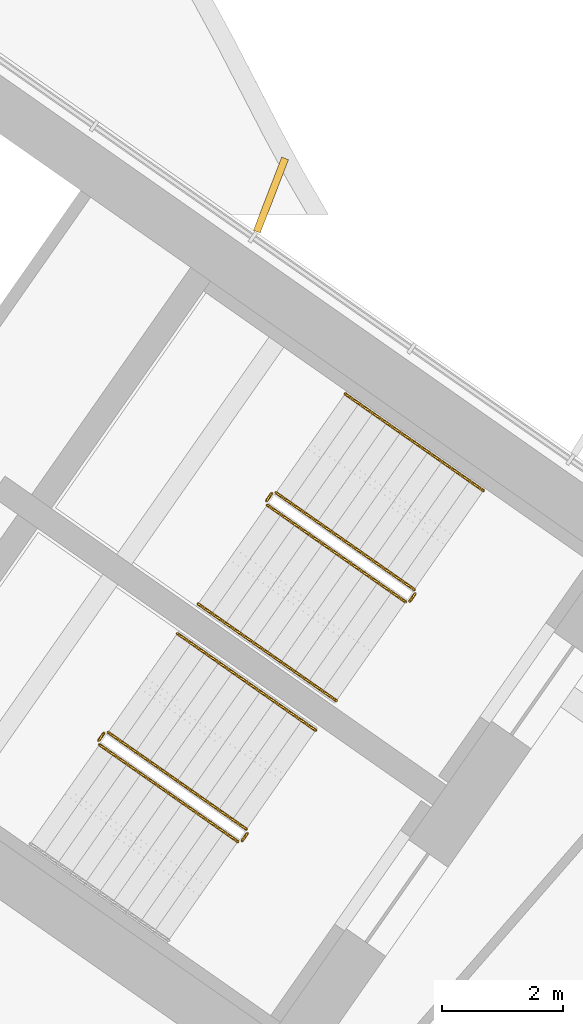
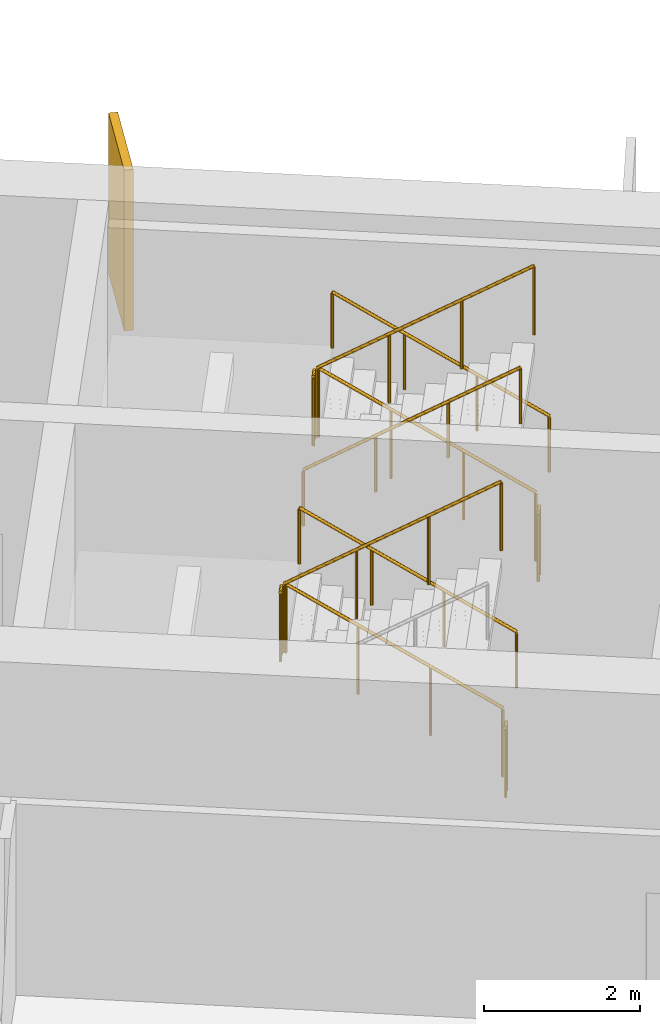
# One storey, part 22 of 23: 11 railings, 1 shading device.
"""IFC4 building model written with IfcOpenShell, lengths in metres."""

from ifc_helpers import new_model, si_unit, direction, frame, origin, origin_2d, place, context, subcontext, project, spatial, rectangle, circle, extrude, material, layer, layer_set, type_object, element, save


model = new_model("IFC4")

# Units and contexts
model_context = context("Model", 3, precision=1e-05, world=origin(), true_north=direction((0.0, 1.0)))
body_context = subcontext(model_context, "Body", "Model", "MODEL_VIEW")
ifc_project = project(units=[si_unit("LENGTHUNIT", "METRE"), si_unit("AREAUNIT", "SQUARE_METRE"), si_unit("VOLUMEUNIT", "CUBIC_METRE"), si_unit("PLANEANGLEUNIT", "RADIAN"), si_unit("MASSUNIT", "GRAM", prefix="KILO")], contexts=[model_context])

# Site, building, storey
site_placement = place(None, origin())
site = spatial("IfcSite", under=ifc_project, at=site_placement, CompositionType="ELEMENT")
building_placement = place(site_placement, origin())
building = spatial("IfcBuilding", under=site, at=building_placement, Name="Tel Ilan Convention Tower", CompositionType="ELEMENT")
storey_placement = place(building_placement, frame((0.0, 0.0, 186.60009765625)))
storey = spatial("IfcBuildingStorey", under=building, at=storey_placement, Name="L43", CompositionType="ELEMENT", Elevation=186.60009765625)

# Shading device
ifc_material_1 = material(Name="Aluminium, bronze anodised", Category="aluminium")
ifc_layer = layer(ifc_material_1, 0.1201171875)
ifc_layer_set = layer_set([ifc_layer], Name="FIN BRONZE 1300x120")
shading_device_type = type_object("IfcShadingDeviceType", Name="FIN BRONZE 1300x120", PredefinedType="USERDEFINED", material=ifc_layer_set)
shading_device_placement = place(storey_placement, frame((21.302978515625, -1.31103515625, 1.099853515625), z_axis=(0.0, 0.0, 1.0), x_axis=(0.360177724803, 0.932883704733, 0.0)))
element("IfcShadingDevice", 1, at=shading_device_placement, inside=storey, type_object=shading_device_type, Name="FIN", ObjectType="FIN", PredefinedType="USERDEFINED", context=body_context, shape_type="SweptSolid", body=[
    extrude(rectangle(XDim=1.300048828125, YDim=0.1201171875, at=origin_2d()), origin(), (0.0, 0.0, 1.0), 2.52001953125),
])

# Railings
ifc_material_2 = material(Name="Stainless Steel Grade 316", Category="steel")
railing_type_1 = type_object("IfcRailingType", Name="Stainless Steel Stair Guard 1100 mm", PredefinedType="GUARDRAIL", material=ifc_material_2)
railing_1_placement = place(storey_placement, frame((23.6787109375, -7.8515625, 0.17724609375)))
element("IfcRailing", 2, at=railing_1_placement, inside=storey, type_object=railing_type_1, Name="L43 S3 stair guard 1", PredefinedType="GUARDRAIL", context=body_context, shape_type="SweptSolid", body=[
    extrude(circle(Radius=0.02392578125, at=origin_2d()), frame((0.0, 0.0, 1.076171875), z_axis=(-0.692084706163, 0.484621375041, 0.534940073605), x_axis=(-0.573591086599, -0.819141785879, 0.0)), (0.0, 0.0, 1.0), 3.313720703125),
    extrude(circle(Radius=0.02099609375, at=origin_2d()), origin(), (0.0, 0.0, 1.0), 1.052001953125),
    extrude(circle(Radius=0.02099609375, at=origin_2d()), frame((-0.764404296875, 0.535400390625, 0.5908203125)), (0.0, 0.0, 1.0), 1.052001953125),
    extrude(circle(Radius=0.02099609375, at=origin_2d()), frame((-1.529052734375, 1.070556640625, 1.181884765625)), (0.0, 0.0, 1.0), 1.052001953125),
    extrude(circle(Radius=0.02099609375, at=origin_2d()), frame((-2.29345703125, 1.60595703125, 1.772705078125)), (0.0, 0.0, 1.0), 1.052001953125),
])
railing_2_placement = place(storey_placement, frame((21.3154296875, -6.2578125, 1.949951171875)))
element("IfcRailing", 3, at=railing_2_placement, inside=storey, type_object=railing_type_1, Name="L43 S3 stair guard 2", PredefinedType="GUARDRAIL", context=body_context, shape_type="SweptSolid", body=[
    extrude(circle(Radius=0.02392578125, at=origin_2d()), frame((0.0, 0.0, 1.076171875), z_axis=(-0.573353020881, -0.819308436089, 0.0), x_axis=(0.819308436089, -0.573353020881, 0.0)), (0.0, 0.0, 1.0), 0.14990234375),
    extrude(circle(Radius=0.02099609375, at=origin_2d()), origin(), (0.0, 0.0, 1.0), 1.052001953125),
    extrude(circle(Radius=0.02099609375, at=origin_2d()), frame((-0.0859375, -0.122802734375, 0.0)), (0.0, 0.0, 1.0), 1.052001953125),
])
railing_3_placement = place(storey_placement, frame((21.24169921875, -6.4501953125, 2.127197265625)))
element("IfcRailing", 4, at=railing_3_placement, inside=storey, type_object=railing_type_1, Name="L43 S3 stair guard 3", PredefinedType="GUARDRAIL", context=body_context, shape_type="SweptSolid", body=[
    extrude(circle(Radius=0.02392578125, at=origin_2d()), frame((0.0, 0.0, 1.076171875), z_axis=(0.692098378994, -0.484653031975, 0.534893701956), x_axis=(0.573608623498, 0.819129505664, 0.0)), (0.0, 0.0, 1.0), 3.314208984375),
    extrude(circle(Radius=0.02099609375, at=origin_2d()), origin(), (0.0, 0.0, 1.0), 1.052001953125),
    extrude(circle(Radius=0.02099609375, at=origin_2d()), frame((0.7646484375, -0.535400390625, 0.5908203125)), (0.0, 0.0, 1.0), 1.052001953125),
    extrude(circle(Radius=0.02099609375, at=origin_2d()), frame((1.529052734375, -1.07080078125, 1.181884765625)), (0.0, 0.0, 1.0), 1.052001953125),
    extrude(circle(Radius=0.02099609375, at=origin_2d()), frame((2.293701171875, -1.606201171875, 1.772705078125)), (0.0, 0.0, 1.0), 1.052001953125),
])
railing_4_placement = place(storey_placement, frame((23.691162109375, -7.921142578125, 0.0)))
element("IfcRailing", 5, at=railing_4_placement, inside=storey, type_object=railing_type_1, Name="L43 S3 stair guard 4", PredefinedType="GUARDRAIL", context=body_context, shape_type="SweptSolid", body=[
    extrude(circle(Radius=0.02392578125, at=origin_2d()), frame((0.0, 0.0, 1.076171875), z_axis=(-0.574444878118, -0.818543268254, 0.0), x_axis=(0.818543268254, -0.574444878118, 0.0)), (0.0, 0.0, 1.0), 0.150146484375),
    extrude(circle(Radius=0.02099609375, at=origin_2d()), origin(), (0.0, 0.0, 1.0), 1.052001953125),
    extrude(circle(Radius=0.02099609375, at=origin_2d()), frame((-0.086181640625, -0.122802734375, 0.0)), (0.0, 0.0, 1.0), 1.052001953125),
])
railing_5_placement = place(storey_placement, frame((20.89697265625, -11.824462890625, 0.17724609375)))
element("IfcRailing", 6, at=railing_5_placement, inside=storey, type_object=railing_type_1, Name="L43 S4 stair guard 1", PredefinedType="GUARDRAIL", context=body_context, shape_type="SweptSolid", body=[
    extrude(circle(Radius=0.02392578125, at=origin_2d()), frame((0.0, 0.0, 1.076171875), z_axis=(-0.692123088272, 0.484596665743, 0.534912798717), x_axis=(-0.573550118428, -0.819170471667, 0.0)), (0.0, 0.0, 1.0), 3.31396484375),
    extrude(circle(Radius=0.02099609375, at=origin_2d()), origin(), (0.0, 0.0, 1.0), 1.052001953125),
    extrude(circle(Radius=0.02099609375, at=origin_2d()), frame((-0.7646484375, 0.535400390625, 0.5908203125)), (0.0, 0.0, 1.0), 1.052001953125),
    extrude(circle(Radius=0.02099609375, at=origin_2d()), frame((-1.529052734375, 1.070556640625, 1.181884765625)), (0.0, 0.0, 1.0), 1.052001953125),
    extrude(circle(Radius=0.02099609375, at=origin_2d()), frame((-2.293701171875, 1.60595703125, 1.772705078125)), (0.0, 0.0, 1.0), 1.052001953125),
])
railing_6_placement = place(storey_placement, frame((18.53369140625, -10.230712890625, 1.949951171875)))
element("IfcRailing", 7, at=railing_6_placement, inside=storey, type_object=railing_type_1, Name="L43 S4 stair guard 2", PredefinedType="GUARDRAIL", context=body_context, shape_type="SweptSolid", body=[
    extrude(circle(Radius=0.02392578125, at=origin_2d()), frame((0.0, 0.0, 1.076171875), z_axis=(-0.573353020881, -0.819308436089, 0.0), x_axis=(0.819308436089, -0.573353020881, 0.0)), (0.0, 0.0, 1.0), 0.14990234375),
    extrude(circle(Radius=0.02099609375, at=origin_2d()), origin(), (0.0, 0.0, 1.0), 1.052001953125),
    extrude(circle(Radius=0.02099609375, at=origin_2d()), frame((-0.0859375, -0.122802734375, 0.0)), (0.0, 0.0, 1.0), 1.052001953125),
])
railing_7_placement = place(storey_placement, frame((18.4599609375, -10.423095703125, 2.127197265625)))
element("IfcRailing", 8, at=railing_7_placement, inside=storey, type_object=railing_type_1, Name="L43 S4 stair guard 3", PredefinedType="GUARDRAIL", context=body_context, shape_type="SweptSolid", body=[
    extrude(circle(Radius=0.02392578125, at=origin_2d()), frame((0.0, 0.0, 1.076171875), z_axis=(0.692098378994, -0.484653031975, 0.534893701956), x_axis=(0.573608623498, 0.819129505664, 0.0)), (0.0, 0.0, 1.0), 3.314208984375),
    extrude(circle(Radius=0.02099609375, at=origin_2d()), origin(), (0.0, 0.0, 1.0), 1.052001953125),
    extrude(circle(Radius=0.02099609375, at=origin_2d()), frame((0.7646484375, -0.535400390625, 0.5908203125)), (0.0, 0.0, 1.0), 1.052001953125),
    extrude(circle(Radius=0.02099609375, at=origin_2d()), frame((1.529052734375, -1.07080078125, 1.181884765625)), (0.0, 0.0, 1.0), 1.052001953125),
    extrude(circle(Radius=0.02099609375, at=origin_2d()), frame((2.293701171875, -1.606201171875, 1.772705078125)), (0.0, 0.0, 1.0), 1.052001953125),
])
railing_8_placement = place(storey_placement, frame((20.9091796875, -11.89404296875, 0.0)))
element("IfcRailing", 9, at=railing_8_placement, inside=storey, type_object=railing_type_1, Name="L43 S4 stair guard 4", PredefinedType="GUARDRAIL", context=body_context, shape_type="SweptSolid", body=[
    extrude(circle(Radius=0.02392578125, at=origin_2d()), frame((0.0, 0.0, 1.076171875), z_axis=(-0.573353020881, -0.819308436089, 0.0), x_axis=(0.819308436089, -0.573353020881, 0.0)), (0.0, 0.0, 1.0), 0.14990234375),
    extrude(circle(Radius=0.02099609375, at=origin_2d()), origin(), (0.0, 0.0, 1.0), 1.052001953125),
    extrude(circle(Radius=0.02099609375, at=origin_2d()), frame((-0.0859375, -0.122802734375, 0.0)), (0.0, 0.0, 1.0), 1.052001953125),
])
ifc_material_3 = material(Name="Stainless Steel Grade 316", Category="steel")
railing_type_2 = type_object("IfcRailingType", Name="Stainless Steel Stair Handrail 900 mm", PredefinedType="HANDRAIL", material=ifc_material_3)
railing_9_placement = place(storey_placement, frame((24.825927734375, -6.213134765625, 0.17724609375)))
element("IfcRailing", 10, at=railing_9_placement, inside=storey, type_object=railing_type_2, Name="L43 S3 stair handrail 1", PredefinedType="HANDRAIL", context=body_context, shape_type="SweptSolid", body=[
    extrude(circle(Radius=0.02392578125, at=origin_2d()), frame((0.0, 0.0, 0.8759765625), z_axis=(-0.692123088272, 0.484596665743, 0.534912798717), x_axis=(-0.573550118428, -0.819170471667, 0.0)), (0.0, 0.0, 1.0), 3.31396484375),
    extrude(circle(Radius=0.02099609375, at=origin_2d()), origin(), (0.0, 0.0, 1.0), 0.851806640625),
    extrude(circle(Radius=0.02099609375, at=origin_2d()), frame((-0.7646484375, 0.535400390625, 0.5908203125)), (0.0, 0.0, 1.0), 0.851806640625),
    extrude(circle(Radius=0.02099609375, at=origin_2d()), frame((-1.529052734375, 1.070556640625, 1.181884765625)), (0.0, 0.0, 1.0), 0.851806640625),
    extrude(circle(Radius=0.02099609375, at=origin_2d()), frame((-2.293701171875, 1.60595703125, 1.772705078125)), (0.0, 0.0, 1.0), 0.851806640625),
])
railing_10_placement = place(storey_placement, frame((20.0947265625, -8.088623046875, 2.127197265625)))
element("IfcRailing", 11, at=railing_10_placement, inside=storey, type_object=railing_type_2, Name="L43 S3 stair handrail 2", PredefinedType="HANDRAIL", context=body_context, shape_type="SweptSolid", body=[
    extrude(circle(Radius=0.02392578125, at=origin_2d()), frame((0.0, 0.0, 0.8759765625), z_axis=(0.692084706163, -0.484621375041, 0.534940073605), x_axis=(0.573591086599, 0.819141785879, 0.0)), (0.0, 0.0, 1.0), 3.313720703125),
    extrude(circle(Radius=0.02099609375, at=origin_2d()), origin(), (0.0, 0.0, 1.0), 0.851806640625),
    extrude(circle(Radius=0.02099609375, at=origin_2d()), frame((0.764404296875, -0.535400390625, 0.5908203125)), (0.0, 0.0, 1.0), 0.851806640625),
    extrude(circle(Radius=0.02099609375, at=origin_2d()), frame((1.529052734375, -1.070556640625, 1.181884765625)), (0.0, 0.0, 1.0), 0.851806640625),
    extrude(circle(Radius=0.02099609375, at=origin_2d()), frame((2.29345703125, -1.60595703125, 1.772705078125)), (0.0, 0.0, 1.0), 0.851806640625),
])
railing_11_placement = place(storey_placement, frame((22.044189453125, -10.18603515625, 0.17724609375)))
element("IfcRailing", 12, at=railing_11_placement, inside=storey, type_object=railing_type_2, Name="L43 S4 stair handrail 1", PredefinedType="HANDRAIL", context=body_context, shape_type="SweptSolid", body=[
    extrude(circle(Radius=0.02392578125, at=origin_2d()), frame((0.0, 0.0, 0.8759765625), z_axis=(-0.692123088272, 0.484596665743, 0.534912798717), x_axis=(-0.573550118428, -0.819170471667, 0.0)), (0.0, 0.0, 1.0), 3.31396484375),
    extrude(circle(Radius=0.02099609375, at=origin_2d()), origin(), (0.0, 0.0, 1.0), 0.851806640625),
    extrude(circle(Radius=0.02099609375, at=origin_2d()), frame((-0.7646484375, 0.535400390625, 0.5908203125)), (0.0, 0.0, 1.0), 0.851806640625),
    extrude(circle(Radius=0.02099609375, at=origin_2d()), frame((-1.529052734375, 1.070556640625, 1.181884765625)), (0.0, 0.0, 1.0), 0.851806640625),
    extrude(circle(Radius=0.02099609375, at=origin_2d()), frame((-2.293701171875, 1.60595703125, 1.772705078125)), (0.0, 0.0, 1.0), 0.851806640625),
])

save(model, "model.ifc")
